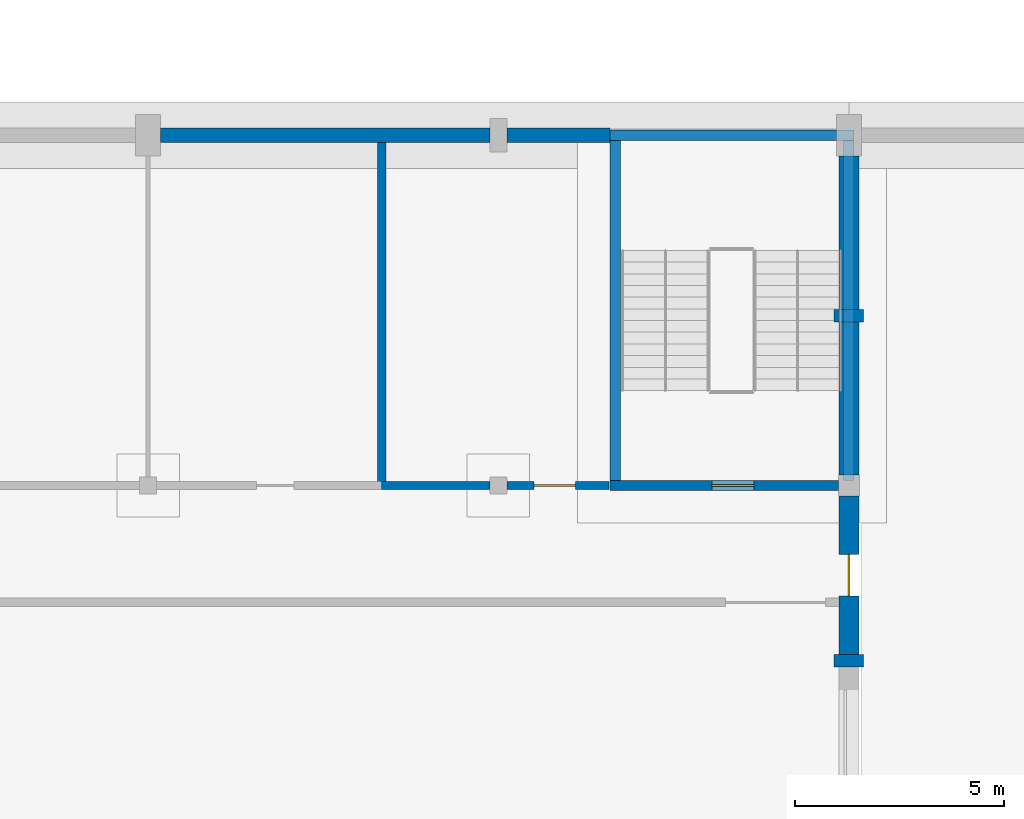
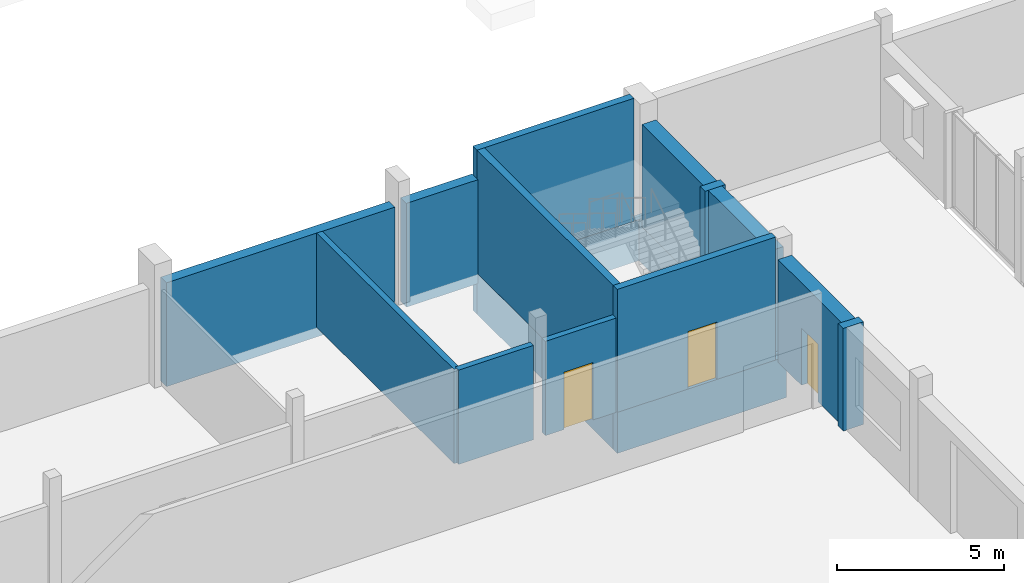
# One storey, part 23 of 36: 17 walls, 3 doors, 3 openings.
"""IFC4 building model written with IfcOpenShell, lengths in metres."""

from ifc_helpers import new_model, si_unit, direction, frame, frame_2d, origin, place, context, subcontext, project, spatial, rectangle, extrude, material, layer, layer_set, type_object, element, fill, save


model = new_model("IFC4")

# Units and contexts
model_context = context("Model", 3, precision=1e-05, world=origin(), true_north=direction((0.0, 1.0)))
body_context = subcontext(model_context, "Body", "Model", "MODEL_VIEW")
ifc_project = project(units=[si_unit("LENGTHUNIT", "METRE"), si_unit("AREAUNIT", "SQUARE_METRE"), si_unit("VOLUMEUNIT", "CUBIC_METRE"), si_unit("PLANEANGLEUNIT", "RADIAN"), si_unit("MASSUNIT", "GRAM", prefix="KILO")], contexts=[model_context])

# Site, building, storey
site_placement = place(None, origin())
site = spatial("IfcSite", under=ifc_project, at=site_placement, CompositionType="ELEMENT")
building_placement = place(site_placement, origin())
building = spatial("IfcBuilding", under=site, at=building_placement, Name="Fescue Hill Polytechnic", CompositionType="ELEMENT")
storey_placement = place(building_placement, origin())
storey = spatial("IfcBuildingStorey", under=building, at=storey_placement, Name="L00", CompositionType="ELEMENT", Elevation=0.0)

# Wall, opening, door
ifc_material_1 = material(Name="Concrete 40 MPa", Category="concrete")
ifc_layer_1 = layer(ifc_material_1, 0.25)
ifc_layer_set_1 = layer_set([ifc_layer_1], Name="Concrete 40 MPa")
wall_type_1 = type_object("IfcWallType", Name="Core wall 250", PredefinedType="SHEAR", material=ifc_layer_set_1)
wall_1_placement = place(storey_placement, frame((111.875, 42.0, 0.0), z_axis=(0.0, 0.0, 1.0), x_axis=(1.0, 0.0, 0.0)))
wall_1 = element("IfcWall", 1, at=wall_1_placement, inside=storey, type_object=wall_type_1, Name="CW-L00-ST-V1-9-11", PredefinedType="SHEAR", context=body_context, shape_type="SweptSolid", body=[
    extrude(rectangle(XDim=5.47509765625, YDim=0.25, at=frame_2d((2.737548828125, 0.0))), origin(), (0.0, 0.0, 1.0), 4.5),
])
opening_1_placement = place(wall_1_placement, frame((2.449951171875, 0.0, 0.0)))
opening_1 = element("IfcOpeningElement", 2, at=opening_1_placement, cuts=wall_1, Name="Opening D0079", PredefinedType="OPENING", context=body_context, shape_type="SweptSolid", body=[
    extrude(rectangle(XDim=1.0, YDim=2.10009765625, at=frame_2d((0.5, 1.050048828125))), frame((0.0, 0.135009765625, 0.0), z_axis=(0.0, -1.0, 0.0), x_axis=(1.0, 0.0, 0.0)), (0.0, 0.0, 1.0), 0.27001953125),
])
ifc_material_2 = material(Name="Steel fire door", Category="steel")
door_type_1 = type_object("IfcDoorType", Name="Door single swing 1000x2100 stair fire rated", OperationType="NOTDEFINED", PredefinedType="DOOR", material=ifc_material_2)
door_1_placement = place(opening_1_placement, origin())
door_1 = element("IfcDoor", 3, at=door_1_placement, inside=storey, type_object=door_type_1, Name="L00 ST-V1-9 stair door", OperationType="SINGLE_SWING_RIGHT", OverallHeight=2.10009765625, OverallWidth=1.0, PredefinedType="DOOR", context=body_context, shape_type="SweptSolid", body=[
    extrude(rectangle(XDim=1.0, YDim=2.10009765625, at=frame_2d((0.5, 1.050048828125))), frame((0.0, 0.02490234375, 0.0), z_axis=(0.0, -1.0, 0.0), x_axis=(1.0, 0.0, 0.0)), (0.0, 0.0, 1.0), 0.050048828125),
])
fill(opening_1, door_1)

# Walls
wall_2_placement = place(storey_placement, frame((111.875, 50.39990234375, 0.0), z_axis=(0.0, 0.0, 1.0), x_axis=(1.0, 0.0, 0.0)))
element("IfcWall", 4, at=wall_2_placement, inside=storey, type_object=wall_type_1, Name="CW-L00-ST-V1-9-21", PredefinedType="SHEAR", context=body_context, shape_type="SweptSolid", body=[
    extrude(rectangle(XDim=5.425048828125, YDim=0.25, at=frame_2d((2.71240234375, 0.0))), origin(), (0.0, 0.0, 1.0), 4.5),
])
wall_3_placement = place(storey_placement, frame((112.0, 42.125, 0.0), z_axis=(0.0, 0.0, 1.0), x_axis=(0.0, 1.0, 0.0)))
element("IfcWall", 5, at=wall_3_placement, inside=storey, type_object=wall_type_1, Name="CW-L00-ST-V1-9-31", PredefinedType="SHEAR", context=body_context, shape_type="SweptSolid", body=[
    extrude(rectangle(XDim=8.14990234375, YDim=0.25, at=frame_2d((4.074951171875, 0.0))), origin(), (0.0, 0.0, 1.0), 4.5),
])
for number, where, z_axis, x_axis, name in (
    (6, (111.875, 42.0, -1.5), (0.0, 0.0, 1.0), (1.0, 0.0, 0.0), "FW-ST-V1-9-1"),
    (7, (111.875, 50.39990234375, -1.5), (0.0, 0.0, 1.0), (1.0, 0.0, 0.0), "FW-ST-V1-9-2"),
):
    element("IfcWall", number, at=place(storey_placement, frame(where, z_axis=z_axis, x_axis=x_axis)), inside=storey, type_object=wall_type_1, Name=name, PredefinedType="SHEAR", context=body_context, shape_type="SweptSolid", body=[
        extrude(rectangle(XDim=5.85009765625, YDim=0.25, at=frame_2d((2.925048828125, 0.0))), origin(), (0.0, 0.0, 1.0), 1.5),
    ])
for number, where, z_axis, x_axis, name in (
    (8, (112.0, 42.125, -1.5), (0.0, 0.0, 1.0), (0.0, 1.0, 0.0), "FW-ST-V1-9-3"),
    (9, (117.60009765625, 42.125, -1.5), (0.0, 0.0, 1.0), (0.0, 1.0, 0.0), "FW-ST-V1-9-4"),
):
    element("IfcWall", number, at=place(storey_placement, frame(where, z_axis=z_axis, x_axis=x_axis)), inside=storey, type_object=wall_type_1, Name=name, PredefinedType="SHEAR", context=body_context, shape_type="SweptSolid", body=[
        extrude(rectangle(XDim=8.14990234375, YDim=0.25, at=frame_2d((4.074951171875, 0.0))), origin(), (0.0, 0.0, 1.0), 1.5),
    ])

# Wall, opening, door
ifc_material_3 = material(Name="Clay brick masonry", Category="masonry")
ifc_layer_2 = layer(ifc_material_3, 0.47998046875)
ifc_layer_set_2 = layer_set([ifc_layer_2], Name="Clay brick masonry")
wall_type_2 = type_object("IfcWallType", Name="Exterior wall engineering brick cavity 480", PredefinedType="SOLIDWALL", material=ifc_layer_set_2)
wall_4_placement = place(storey_placement, frame((117.60009765625, 37.949951171875, 0.0), z_axis=(0.0, 0.0, 1.0), x_axis=(0.0, 1.0, 0.0)))
wall_4 = element("IfcWall", 10, at=wall_4_placement, inside=storey, type_object=wall_type_2, Name="EW-L00-V1-9", PredefinedType="SOLIDWALL", context=body_context, shape_type="SweptSolid", body=[
    extrude(rectangle(XDim=3.800048828125, YDim=0.47998046875, at=frame_2d((1.89990234375, 0.0))), origin(), (0.0, 0.0, 1.0), 3.75),
])
opening_2_placement = place(wall_4_placement, frame((2.39990234375, 0.0, 0.0), z_axis=(0.0, 0.0, 1.0), x_axis=(-1.0, 0.0, 0.0)))
opening_2 = element("IfcOpeningElement", 11, at=opening_2_placement, cuts=wall_4, Name="Opening D0004", PredefinedType="OPENING", context=body_context, shape_type="SweptSolid", body=[
    extrude(rectangle(XDim=1.0, YDim=2.10009765625, at=frame_2d((0.5, 1.050048828125))), frame((0.0, 0.25, 0.0), z_axis=(0.0, -1.0, 0.0), x_axis=(1.0, 0.0, 0.0)), (0.0, 0.0, 1.0), 0.5),
])
ifc_material_4 = material(Name="Hollow metal")
door_type_2 = type_object("IfcDoorType", Name="Door exit single 1000x2100 fire rated", OperationType="SINGLE_SWING_LEFT", PredefinedType="DOOR", material=ifc_material_4)
door_2_placement = place(opening_2_placement, origin())
door_2 = element("IfcDoor", 12, at=door_2_placement, inside=storey, type_object=door_type_2, Name="Door D0004", OperationType="SINGLE_SWING_LEFT", OverallHeight=2.10009765625, OverallWidth=1.0, PredefinedType="DOOR", context=body_context, shape_type="SweptSolid", body=[
    extrude(rectangle(XDim=1.0, YDim=2.10009765625, at=frame_2d((0.5, 1.050048828125))), frame((0.0, 0.02490234375, 0.0), z_axis=(0.0, -1.0, 0.0), x_axis=(1.0, 0.0, 0.0)), (0.0, 0.0, 1.0), 0.050048828125),
])
fill(opening_2, door_2)

# Walls
ifc_layer_3 = layer(ifc_material_3, 0.47998046875)
ifc_layer_set_3 = layer_set([ifc_layer_3], Name="Clay brick masonry")
wall_type_3 = type_object("IfcWallType", Name="Exterior wall engineering brick cavity 480 load-bearing", PredefinedType="SOLIDWALL", material=ifc_layer_set_3)
wall_5_placement = place(storey_placement, frame((117.60009765625, 42.25, 0.0), z_axis=(0.0, 0.0, 1.0), x_axis=(0.0, 1.0, 0.0)))
element("IfcWall", 13, at=wall_5_placement, inside=storey, type_object=wall_type_3, Name="EW-L00-V1-10", PredefinedType="SOLIDWALL", context=body_context, shape_type="SweptSolid", body=[
    extrude(rectangle(XDim=3.675048828125, YDim=0.47998046875, at=frame_2d((1.83740234375, 0.0))), origin(), (0.0, 0.0, 1.0), 3.75),
])
wall_6_placement = place(storey_placement, frame((117.60009765625, 46.22509765625, 0.0), z_axis=(0.0, 0.0, 1.0), x_axis=(0.0, 1.0, 0.0)))
element("IfcWall", 14, at=wall_6_placement, inside=storey, type_object=wall_type_3, Name="EW-L00-V1-11", PredefinedType="SOLIDWALL", context=body_context, shape_type="SweptSolid", body=[
    extrude(rectangle(XDim=3.6748046875, YDim=0.47998046875, at=frame_2d((1.83740234375, 0.0))), origin(), (0.0, 0.0, 1.0), 3.75),
])
ifc_layer_4 = layer(ifc_material_1, 0.699951171875)
ifc_layer_set_4 = layer_set([ifc_layer_4], Name="Concrete 40 MPa")
wall_type_4 = type_object("IfcWallType", Name="Fin wall board-marked 300x700", PredefinedType="SOLIDWALL", material=ifc_layer_set_4)
wall_7_placement = place(storey_placement, frame((117.60009765625, 37.64990234375, 0.0), z_axis=(0.0, 0.0, 1.0), x_axis=(0.0, 1.0, 0.0)))
element("IfcWall", 15, at=wall_7_placement, inside=storey, type_object=wall_type_4, Name="PR-L00-V1-4", PredefinedType="SOLIDWALL", context=body_context, shape_type="SweptSolid", body=[
    extrude(rectangle(XDim=0.300048828125, YDim=0.699951171875, at=frame_2d((0.14990234375, 0.0))), origin(), (0.0, 0.0, 1.0), 3.75),
])
ifc_layer_5 = layer(ifc_material_1, 0.699951171875)
ifc_layer_set_5 = layer_set([ifc_layer_5], Name="Concrete 40 MPa")
wall_type_5 = type_object("IfcWallType", Name="Fin wall board-marked 300x700 load-bearing", PredefinedType="SOLIDWALL", material=ifc_layer_set_5)
wall_8_placement = place(storey_placement, frame((117.60009765625, 45.925048828125, 0.0), z_axis=(0.0, 0.0, 1.0), x_axis=(0.0, 1.0, 0.0)))
element("IfcWall", 16, at=wall_8_placement, inside=storey, type_object=wall_type_5, Name="PR-L00-V1-5", PredefinedType="SOLIDWALL", context=body_context, shape_type="SweptSolid", body=[
    extrude(rectangle(XDim=0.300048828125, YDim=0.699951171875, at=frame_2d((0.14990234375, 0.0))), origin(), (0.0, 0.0, 1.0), 3.75),
])
ifc_material_5 = material(Name="Concrete masonry block 15 MPa", Category="masonry")
ifc_layer_6 = layer(ifc_material_5, 0.199951171875)
ifc_layer_set_6 = layer_set([ifc_layer_6], Name="Concrete masonry block 15 MPa")
wall_type_6 = type_object("IfcWallType", Name="Plant room wall 200 block EI 60", PredefinedType="PARTITIONING", material=ifc_layer_set_6)
wall_9_placement = place(storey_placement, frame((106.39990234375, 42.0, 0.0), z_axis=(0.0, 0.0, 1.0), x_axis=(1.0, 0.0, 0.0)))
element("IfcWall", 17, at=wall_9_placement, inside=storey, type_object=wall_type_6, Name="IW-L00-053", PredefinedType="PARTITIONING", context=body_context, shape_type="SweptSolid", body=[
    extrude(rectangle(XDim=2.60009765625, YDim=0.199951171875, at=frame_2d((1.300048828125, 0.0))), origin(), (0.0, 0.0, 1.0), 3.449951171875),
])

# Wall, opening, door
wall_10_placement = place(storey_placement, frame((109.39990234375, 42.0, 0.0), z_axis=(0.0, 0.0, 1.0), x_axis=(1.0, 0.0, 0.0)))
wall_10 = element("IfcWall", 18, at=wall_10_placement, inside=storey, type_object=wall_type_6, Name="IW-L00-054", PredefinedType="PARTITIONING", context=body_context, shape_type="SweptSolid", body=[
    extrude(rectangle(XDim=2.4501953125, YDim=0.199951171875, at=frame_2d((1.22509765625, 0.0))), origin(), (0.0, 0.0, 1.0), 3.449951171875),
])
opening_3_placement = place(wall_10_placement, frame((0.64990234375, 0.0, 0.0)))
opening_3 = element("IfcOpeningElement", 19, at=opening_3_placement, cuts=wall_10, Name="Opening D0061", PredefinedType="OPENING", context=body_context, shape_type="SweptSolid", body=[
    extrude(rectangle(XDim=1.0, YDim=2.10009765625, at=frame_2d((0.5, 1.050048828125))), frame((0.0, 0.10986328125, 0.0), z_axis=(0.0, -1.0, 0.0), x_axis=(1.0, 0.0, 0.0)), (0.0, 0.0, 1.0), 0.219970703125),
])
ifc_material_6 = material(Name="Steel", Category="steel")
door_type_3 = type_object("IfcDoorType", Name="Door single swing 1000x2100 FD60", OperationType="SINGLE_SWING_LEFT", PredefinedType="DOOR", material=ifc_material_6)
door_3_placement = place(opening_3_placement, origin())
door_3 = element("IfcDoor", 20, at=door_3_placement, inside=storey, type_object=door_type_3, Name="Door D0061", OperationType="SINGLE_SWING_LEFT", OverallHeight=2.10009765625, OverallWidth=1.0, PredefinedType="DOOR", context=body_context, shape_type="SweptSolid", body=[
    extrude(rectangle(XDim=1.0, YDim=2.10009765625, at=frame_2d((0.5, 1.050048828125))), frame((0.0, 0.02490234375, 0.0), z_axis=(0.0, -1.0, 0.0), x_axis=(1.0, 0.0, 0.0)), (0.0, 0.0, 1.0), 0.050048828125),
])
fill(opening_3, door_3)

# Walls
wall_11_placement = place(storey_placement, frame((106.39990234375, 42.0, 0.0), z_axis=(0.0, 0.0, 1.0), x_axis=(0.0, 1.0, 0.0)))
element("IfcWall", 21, at=wall_11_placement, inside=storey, type_object=wall_type_6, Name="IW-L00-091", PredefinedType="PARTITIONING", context=body_context, shape_type="SweptSolid", body=[
    extrude(rectangle(XDim=8.22509765625, YDim=0.199951171875, at=frame_2d((4.112548828125, 0.0))), origin(), (0.0, 0.0, 1.0), 3.449951171875),
])
ifc_material_7 = material(Name="Concrete 35 MPa", Category="concrete")
ifc_layer_7 = layer(ifc_material_7, 0.35009765625)
ifc_layer_set_7 = layer_set([ifc_layer_7], Name="Concrete 35 MPa")
wall_type_7 = type_object("IfcWallType", Name="Retaining wall 350", PredefinedType="SOLIDWALL", material=ifc_layer_set_7)
wall_12_placement = place(storey_placement, frame((109.0, 50.39990234375, -0.35009765625), z_axis=(0.0, 0.0, 1.0), x_axis=(-1.0, 0.0, 0.0)))
element("IfcWall", 22, at=wall_12_placement, inside=storey, type_object=wall_type_7, Name="RE-L00-V1-2", PredefinedType="SOLIDWALL", context=body_context, shape_type="SweptSolid", body=[
    extrude(rectangle(XDim=7.89990234375, YDim=0.35009765625, at=frame_2d((3.949951171875, 0.0))), origin(), (0.0, 0.0, 1.0), 3.800048828125),
])
wall_13_placement = place(storey_placement, frame((111.875, 50.39990234375, -0.35009765625), z_axis=(0.0, 0.0, 1.0), x_axis=(-1.0, 0.0, 0.0)))
element("IfcWall", 23, at=wall_13_placement, inside=storey, type_object=wall_type_7, Name="RE-L00-V1-1", PredefinedType="SOLIDWALL", context=body_context, shape_type="SweptSolid", body=[
    extrude(rectangle(XDim=2.47509765625, YDim=0.35009765625, at=frame_2d((1.237548828125, 0.0))), origin(), (0.0, 0.0, 1.0), 3.800048828125),
])

save(model, "model.ifc")
